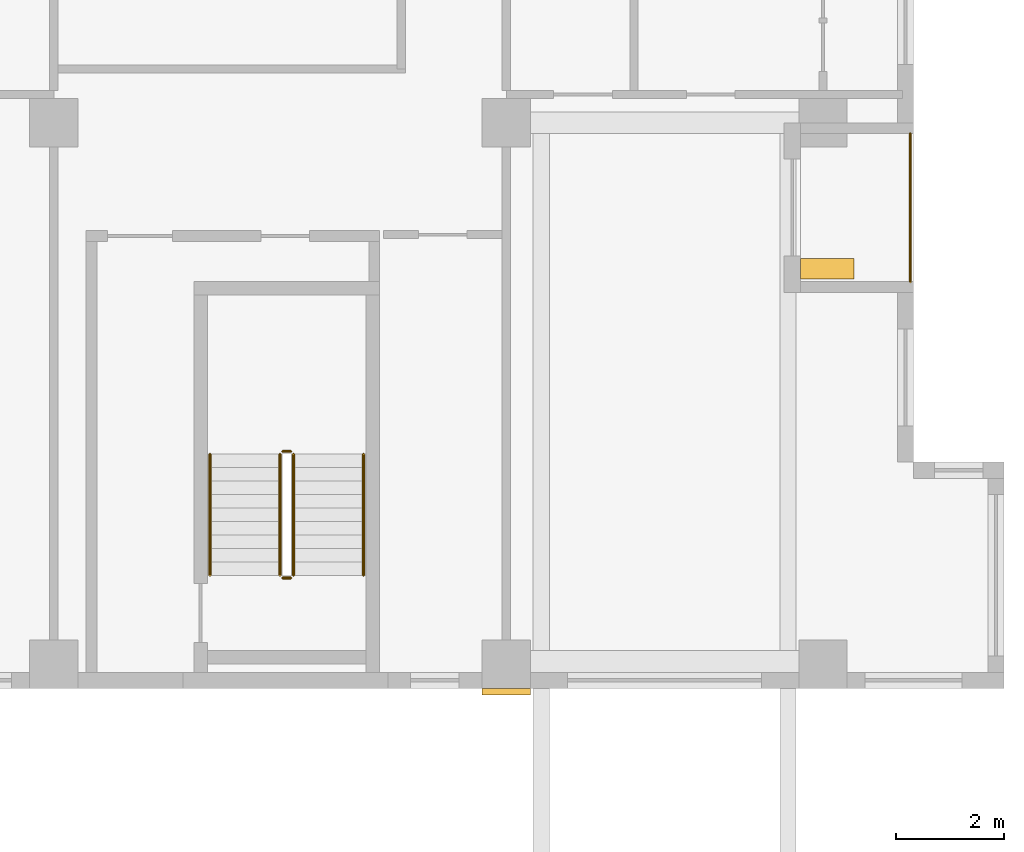
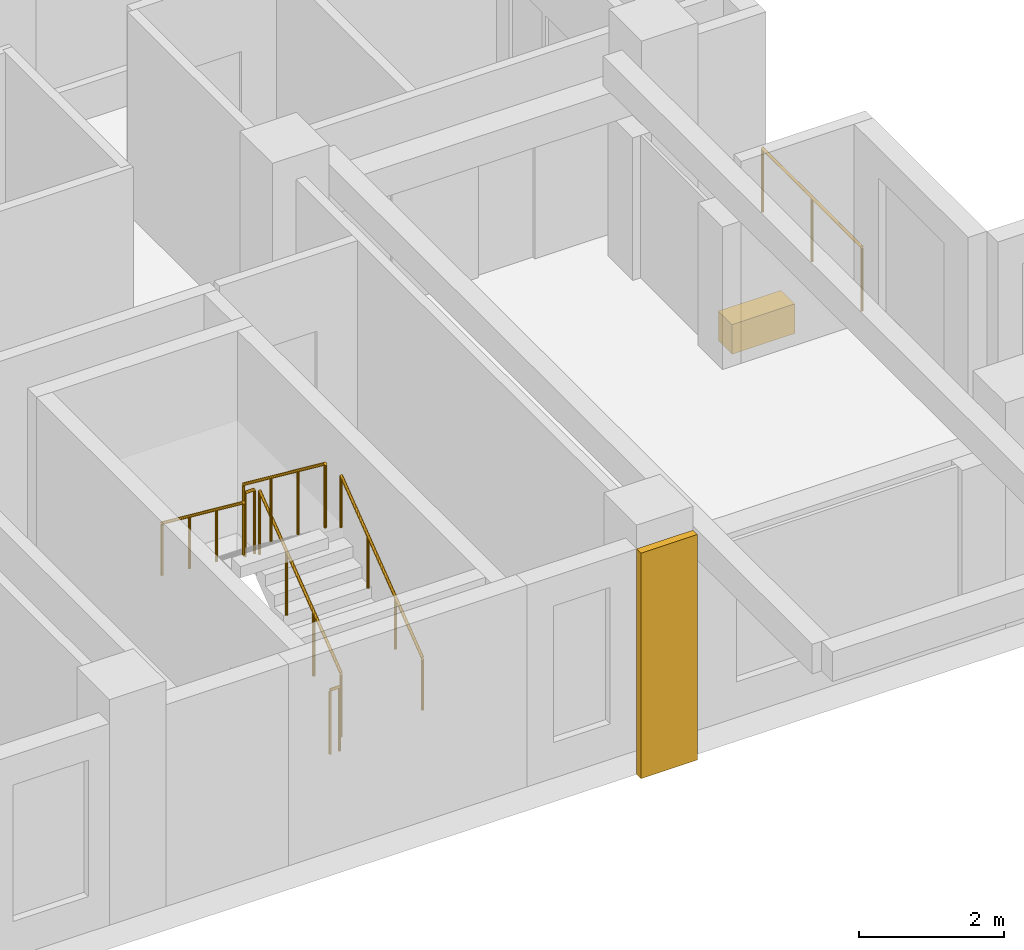
# One storey, part 11 of 12: 7 railings, 2 coverings.
"""IFC4 building model written with IfcOpenShell, lengths in metres."""

import ifcopenshell
import ifcopenshell.guid

model = None  # the IFC model being written
_history = None  # IfcOwnerHistory: only IFC2X3 demands one
_inside = {}  # id of a spatial element -> (the spatial element, [elements in it])
_under = {}  # id of a project, library or spatial element -> (it, [spatial elements below it])
_declared = {}  # id of a project -> (the project, [libraries it declares])
_typed = {}  # id of a type object -> (the type object, [elements of that type])
_made_of = {}  # id of a material, layer set ... -> (it, [elements and type objects made of it])


def new_model(schema):
    """Start an empty IFC model of exactly this schema.

    Asked for "IFC4X3", IfcOpenShell would pick the latest addendum, in which some entities
    have other attributes; the version numbers below select the first issue.
    IFC2X3 requires an IfcOwnerHistory on every rooted entity: one is made here for all.
    """
    global model, _history
    if schema == "IFC4X3":
        model = ifcopenshell.file(schema_version=(4, 3, 0, 0))
    else:
        model = ifcopenshell.file(schema=schema)
    _inside.clear()
    _under.clear()
    _declared.clear()
    _typed.clear()
    _made_of.clear()
    _history = None
    if model.schema == "IFC2X3":
        org = make("IfcOrganization", Name="unknown")
        user = make(
            "IfcPersonAndOrganization",
            ThePerson=make("IfcPerson", FamilyName="unknown"),
            TheOrganization=org,
        )
        app = make(
            "IfcApplication",
            ApplicationDeveloper=org,
            Version="unknown",
            ApplicationFullName="unknown",
            ApplicationIdentifier="unknown",
        )
        _history = make(
            "IfcOwnerHistory",
            OwningUser=user,
            OwningApplication=app,
            ChangeAction="ADDED",
            CreationDate=0,
        )
    return model


def make(cls, **values):
    """One entity of the class cls with the attributes given. An attribute that is None is left unset."""
    return model.create_entity(
        cls, **{name: value for name, value in values.items() if value is not None}
    )


def rooted(cls, **values):
    """An entity with a GlobalId (a new one), such as an element, a storey or a relation."""
    return make(cls, GlobalId=ifcopenshell.guid.new(), OwnerHistory=_history, **values)


def si_unit(unit_type, name, prefix=None):
    """IfcSIUnit, for example si_unit("LENGTHUNIT", "METRE", prefix="MILLI")."""
    return make("IfcSIUnit", UnitType=unit_type, Prefix=prefix, Name=name)


def assignment(units):
    """IfcUnitAssignment: the units of a project."""
    return None if units is None else make("IfcUnitAssignment", Units=units)


def point(xyz):
    """IfcCartesianPoint."""
    return None if xyz is None else make("IfcCartesianPoint", Coordinates=xyz)


def direction(xyz):
    """IfcDirection."""
    return None if xyz is None else make("IfcDirection", DirectionRatios=xyz)


def frame(location, z_axis=None, x_axis=None):
    """IfcAxis2Placement3D, a coordinate frame: its origin and axes. An axis left out is left unset."""
    return make(
        "IfcAxis2Placement3D",
        Location=point(location),
        Axis=direction(z_axis),
        RefDirection=direction(x_axis),
    )


def frame_2d(location, x_axis=None):
    """IfcAxis2Placement2D, a coordinate frame in the plane: its origin and x axis."""
    return make(
        "IfcAxis2Placement2D", Location=point(location), RefDirection=direction(x_axis)
    )


def origin():
    """The frame at (0, 0, 0) with its axes left unset."""
    return frame((0.0, 0.0, 0.0))


def origin_2d():
    """The frame at (0, 0) in the plane with its x axis left unset."""
    return frame_2d((0.0, 0.0))


def place(relative_to, where):
    """IfcLocalPlacement: puts the frame where relative to a parent placement (None: the world)."""
    return make(
        "IfcLocalPlacement", PlacementRelTo=relative_to, RelativePlacement=where
    )


def context(
    kind, dimensions, precision=None, world=None, true_north=None, identifier=None
):
    """IfcGeometricRepresentationContext, for example the 3D "Model" context."""
    return make(
        "IfcGeometricRepresentationContext",
        ContextIdentifier=identifier,
        ContextType=kind,
        CoordinateSpaceDimension=dimensions,
        Precision=precision,
        WorldCoordinateSystem=world,
        TrueNorth=true_north,
    )


def subcontext(parent, identifier, kind, view, scale=None):
    """IfcGeometricRepresentationSubContext, for example "Body" below "Model"."""
    return make(
        "IfcGeometricRepresentationSubContext",
        ContextIdentifier=identifier,
        ContextType=kind,
        ParentContext=parent,
        TargetScale=scale,
        TargetView=view,
    )


def project(units=None, contexts=None):
    """IfcProject with its units and contexts."""
    return rooted(
        "IfcProject",
        Name="project",
        RepresentationContexts=contexts,
        UnitsInContext=assignment(units),
    )


def spatial(cls, under=None, at=None, **own):
    """A site, building, storey or space (cls), placed at a placement, below another one or the project."""
    s = rooted(cls, ObjectPlacement=at, **own)
    if under is not None:
        _under.setdefault(under.id(), (under, []))[1].append(s)
    return s


def profile(cls, at=None, kind="AREA", **sizes):
    """A parametric profile (cls). Its sizes go by their IFC names, for example OverallWidth=200.0."""
    return make(cls, ProfileType=kind, Position=at, **sizes)


def rectangle(**sizes):
    """IfcRectangleProfileDef."""
    return profile("IfcRectangleProfileDef", **sizes)


def circle(**sizes):
    """IfcCircleProfileDef."""
    return profile("IfcCircleProfileDef", **sizes)


def extrude(swept, where, along, depth):
    """IfcExtrudedAreaSolid: the profile swept, set in the frame where, extruded along a direction by depth."""
    return make(
        "IfcExtrudedAreaSolid",
        SweptArea=swept,
        Position=where,
        ExtrudedDirection=direction(along),
        Depth=depth,
    )


def shape(context_of_items, identifier, shape_type, items):
    """IfcShapeRepresentation: the items that make up one representation, for example the "Body"."""
    return make(
        "IfcShapeRepresentation",
        ContextOfItems=context_of_items,
        RepresentationIdentifier=identifier,
        RepresentationType=shape_type,
        Items=items,
    )


def source(mapping_origin, context_of_items, identifier, shape_type, items):
    """IfcRepresentationMap: a shape defined once, which mapped items show again and again."""
    return make(
        "IfcRepresentationMap",
        MappingOrigin=mapping_origin,
        MappedRepresentation=shape(context_of_items, identifier, shape_type, items),
    )


def transform(
    local_origin,
    x_axis=None,
    y_axis=None,
    z_axis=None,
    scale=None,
    scale2=None,
    scale3=None,
    uniform=True,
):
    """IfcCartesianTransformationOperator3D, or its non-uniform kind. x_axis, y_axis, z_axis: its Axis1, 2, 3."""
    if uniform:
        return make(
            "IfcCartesianTransformationOperator3D",
            Axis1=direction(x_axis),
            Axis2=direction(y_axis),
            LocalOrigin=point(local_origin),
            Scale=scale,
            Axis3=direction(z_axis),
        )
    return make(
        "IfcCartesianTransformationOperator3DnonUniform",
        Axis1=direction(x_axis),
        Axis2=direction(y_axis),
        LocalOrigin=point(local_origin),
        Scale=scale,
        Axis3=direction(z_axis),
        Scale2=scale2,
        Scale3=scale3,
    )


def mapped(mapping_source, mapping_target):
    """IfcMappedItem: shows the shape of a source again, moved by a transform."""
    return make(
        "IfcMappedItem", MappingSource=mapping_source, MappingTarget=mapping_target
    )


def material(Name=None, Category=None):
    """IfcMaterial."""
    return make("IfcMaterial", Name=Name, Category=Category)


def made_of(thing, what):
    """Note that an element or type object is made of a material, layer set ...; save() writes the relation."""
    if what is not None:
        _made_of.setdefault(what.id(), (what, []))[1].append(thing)
    return thing


def type_object(cls, material=None, **own):
    """A type object (cls), such as IfcWallType, which elements share."""
    return made_of(rooted(cls, **own), material)


def element(
    cls,
    number,
    at=None,
    inside=None,
    cuts=None,
    type_object=None,
    material=None,
    context=None,
    identifier="Body",
    shape_type=None,
    held_by="IfcProductDefinitionShape",
    body=None,
    shapes=None,
    **own,
):
    """One element of the class cls, such as IfcWall. Its Tag is "e" and its number.

    at: its placement. inside: the storey or other place that contains it. cuts: it is an
    opening in that element (IfcRelVoidsElement). A single representation is given by context,
    identifier, shape_type and body (its items); several are given by shapes. held_by: the class
    of the entity that holds the representations. save() writes the other relations.
    """
    e = rooted(cls, Tag="e%d" % number, ObjectPlacement=at, **own)
    if body is not None:
        shapes = [shape(context, identifier, shape_type, body)]
    if shapes is not None:
        e.Representation = make(held_by, Representations=shapes)
    if inside is not None:
        _inside.setdefault(inside.id(), (inside, []))[1].append(e)
    if cuts is not None:
        rooted(
            "IfcRelVoidsElement", RelatingBuildingElement=cuts, RelatedOpeningElement=e
        )
    if type_object is not None:
        _typed.setdefault(type_object.id(), (type_object, []))[1].append(e)
    return made_of(e, material)


def aggregate(whole, parts):
    """IfcRelAggregates: a whole, such as a stair, and the parts it consists of."""
    return rooted("IfcRelAggregates", RelatingObject=whole, RelatedObjects=parts)


def save(model, path):
    """Write the relations noted so far, then the file.

    IfcRelAggregates (storeys below a building ...), IfcRelContainedInSpatialStructure (elements
    in a storey), IfcRelDefinesByType, IfcRelAssociatesMaterial and IfcRelDeclares: one each for
    every whole, place, type object, material and project.
    """
    for whole, parts in _under.values():
        aggregate(whole, parts)
    for where, things in _inside.values():
        rooted(
            "IfcRelContainedInSpatialStructure",
            RelatedElements=things,
            RelatingStructure=where,
        )
    for kind, things in _typed.values():
        rooted("IfcRelDefinesByType", RelatedObjects=things, RelatingType=kind)
    for what, things in _made_of.values():
        rooted("IfcRelAssociatesMaterial", RelatedObjects=things, RelatingMaterial=what)
    for by, libraries in _declared.values():
        rooted("IfcRelDeclares", RelatingContext=by, RelatedDefinitions=libraries)
    model.write(path)


model = new_model("IFC4")

# Units and contexts
model_context = context("Model", 3, precision=1e-05, world=origin(), true_north=direction((0.0, 1.0)))
body_context = subcontext(model_context, "Body", "Model", "MODEL_VIEW")
ifc_project = project(units=[si_unit("LENGTHUNIT", "METRE"), si_unit("AREAUNIT", "SQUARE_METRE"), si_unit("VOLUMEUNIT", "CUBIC_METRE"), si_unit("PLANEANGLEUNIT", "RADIAN"), si_unit("MASSUNIT", "GRAM", prefix="KILO")], contexts=[model_context])

# Site, building, storey
site_placement = place(None, origin())
site = spatial("IfcSite", under=ifc_project, at=site_placement, CompositionType="ELEMENT")
building_placement = place(site_placement, origin())
building = spatial("IfcBuilding", under=site, at=building_placement, Name="Aurelian Terraces", CompositionType="ELEMENT")
storey_placement = place(building_placement, frame((0.0, 0.0, 219.6)))
storey = spatial("IfcBuildingStorey", under=building, at=storey_placement, Name="L49", CompositionType="ELEMENT", Elevation=219.6)

# Covering
ifc_material_1 = material(Name="Terracotta rainscreen cladding relief", Category="masonry")
covering_type_1 = type_object("IfcCoveringType", Name="BAGUETTE-TC", PredefinedType="CLADDING", material=ifc_material_1)
shared_shape_1 = source(origin(), body_context, "Body", "SweptSolid", [
    extrude(rectangle(XDim=0.9, YDim=0.12, at=origin_2d()), origin(), (0.0, 0.0, 1.0), 3.8),
])
covering_1_placement = place(storey_placement, frame((46.2, -0.06, -0.4), z_axis=(0.0, 0.0, 1.0), x_axis=(1.0, 0.0, 0.0)))
element("IfcCovering", 1, at=covering_1_placement, inside=storey, type_object=covering_type_1, Name="BAGUETTE pier L49 3", PredefinedType="CLADDING", context=body_context, shape_type="MappedRepresentation", body=[
    mapped(shared_shape_1, transform((0.0, 0.0, 0.0), scale=1.0)),
])

# Railing
ifc_material_2 = material(Name="Anodised aluminium", Category="aluminium")
railing_type_1 = type_object("IfcRailingType", Name="GUARD-1100", PredefinedType="GUARDRAIL", material=ifc_material_2)
shared_shape_2 = source(origin(), body_context, "Body", "SweptSolid", [
    extrude(circle(Radius=0.024, at=origin_2d()), frame((0.0, 0.0, 1.076), z_axis=(0.0, 1.0, 0.0), x_axis=(-1.0, 0.0, 0.0)), (0.0, 0.0, 1.0), 2.75),
    extrude(circle(Radius=0.021, at=origin_2d()), origin(), (0.0, 0.0, 1.0), 1.052),
    extrude(circle(Radius=0.021, at=origin_2d()), frame((0.0, 1.375, 0.0)), (0.0, 0.0, 1.0), 1.052),
    extrude(circle(Radius=0.021, at=origin_2d()), frame((0.0, 2.75, 0.0)), (0.0, 0.0, 1.0), 1.052),
])
railing_1_placement = place(storey_placement, frame((53.7, 7.55, 0.05)))
element("IfcRailing", 2, at=railing_1_placement, inside=storey, type_object=railing_type_1, Name="Loggia guard L49 F04.11", PredefinedType="GUARDRAIL", context=body_context, shape_type="MappedRepresentation", body=[
    mapped(shared_shape_2, transform((0.0, 0.0, 0.0), scale=1.0)),
])

# Covering
ifc_material_3 = material(Name="Terracotta planter with planting soil", Category="masonry")
covering_type_2 = type_object("IfcCoveringType", Name="PLANTER-TROUGH", PredefinedType="USERDEFINED", material=ifc_material_3)
shared_shape_3 = source(origin(), body_context, "Body", "SweptSolid", [
    extrude(rectangle(XDim=1.0, YDim=0.38, at=origin_2d()), origin(), (0.0, 0.0, 1.0), 0.5),
])
covering_2_placement = place(storey_placement, frame((52.16, 7.79, 0.0), z_axis=(0.0, 0.0, 1.0), x_axis=(1.0, 0.0, 0.0)))
element("IfcCovering", 3, at=covering_2_placement, inside=storey, type_object=covering_type_2, Name="PLANTER L49 L49-F04-11", ObjectType="PLANTER", PredefinedType="USERDEFINED", context=body_context, shape_type="MappedRepresentation", body=[
    mapped(shared_shape_3, transform((0.0, 0.0, 0.0), scale=1.0)),
])

# Railings
ifc_material_4 = material(Name="Stainless steel", Category="steel")
railing_type_2 = type_object("IfcRailingType", Name="Stair guard 1100", PredefinedType="GUARDRAIL", material=ifc_material_4)
shared_shape_4 = source(origin(), body_context, "Body", "SweptSolid", [
    extrude(circle(Radius=0.024, at=origin_2d()), frame((0.0, 0.0, 1.076), z_axis=(-1.0, 0.0, 0.0), x_axis=(0.0, -1.0, 0.0)), (0.0, 0.0, 1.0), 0.15),
    extrude(circle(Radius=0.021, at=origin_2d()), origin(), (0.0, 0.0, 1.0), 1.052),
    extrude(circle(Radius=0.021, at=origin_2d()), frame((-0.15, 0.0, 0.0)), (0.0, 0.0, 1.0), 1.052),
])
for number, where, name in (
    (4, (42.2, 4.4, 1.9), "L49 S2 stair guard 2"),
    (5, (42.2, 2.05, 0.0), "L49 S2 stair guard 4"),
):
    element("IfcRailing", number, at=place(storey_placement, frame(where)), inside=storey, type_object=railing_type_2, Name=name, PredefinedType="GUARDRAIL", context=body_context, shape_type="MappedRepresentation", body=[
        mapped(shared_shape_4, transform((0.0, 0.0, 0.0), scale=1.0)),
    ])
shared_shape_5 = source(origin(), body_context, "Body", "SweptSolid", [
    extrude(circle(Radius=0.024, at=origin_2d()), frame((0.0, 0.0, 1.076), z_axis=(0.0, 0.796162194123, 0.605083267534), x_axis=(-1.0, 0.0, 0.0)), (0.0, 0.0, 1.0), 2.8261),
    extrude(circle(Radius=0.021, at=origin_2d()), origin(), (0.0, 0.0, 1.0), 1.052),
    extrude(circle(Radius=0.021, at=origin_2d()), frame((0.0, 0.75, 0.57)), (0.0, 0.0, 1.0), 1.052),
    extrude(circle(Radius=0.021, at=origin_2d()), frame((0.0, 1.5, 1.14)), (0.0, 0.0, 1.0), 1.052),
    extrude(circle(Radius=0.021, at=origin_2d()), frame((0.0, 2.25, 1.71)), (0.0, 0.0, 1.0), 1.052),
])
railing_2_placement = place(storey_placement, frame((42.25, 2.1, 0.19)))
element("IfcRailing", 6, at=railing_2_placement, inside=storey, type_object=railing_type_2, Name="L49 S2 stair guard 1", PredefinedType="GUARDRAIL", context=body_context, shape_type="MappedRepresentation", body=[
    mapped(shared_shape_5, transform((0.0, 0.0, 0.0), scale=1.0)),
])
shared_shape_6 = source(origin(), body_context, "Body", "SweptSolid", [
    extrude(circle(Radius=0.024, at=origin_2d()), frame((0.0, 0.0, 1.076), z_axis=(0.0, -0.796162194123, 0.605083267534), x_axis=(1.0, 0.0, 0.0)), (0.0, 0.0, 1.0), 2.8261),
    extrude(circle(Radius=0.021, at=origin_2d()), origin(), (0.0, 0.0, 1.0), 1.052),
    extrude(circle(Radius=0.021, at=origin_2d()), frame((0.0, -0.75, 0.57)), (0.0, 0.0, 1.0), 1.052),
    extrude(circle(Radius=0.021, at=origin_2d()), frame((0.0, -1.5, 1.14)), (0.0, 0.0, 1.0), 1.052),
    extrude(circle(Radius=0.021, at=origin_2d()), frame((0.0, -2.25, 1.71)), (0.0, 0.0, 1.0), 1.052),
])
railing_3_placement = place(storey_placement, frame((42.0, 4.35, 2.09)))
element("IfcRailing", 7, at=railing_3_placement, inside=storey, type_object=railing_type_2, Name="L49 S2 stair guard 3", PredefinedType="GUARDRAIL", context=body_context, shape_type="MappedRepresentation", body=[
    mapped(shared_shape_6, transform((0.0, 0.0, 0.0), scale=1.0)),
])
railing_type_3 = type_object("IfcRailingType", Name="Stair handrail", PredefinedType="HANDRAIL", material=ifc_material_4)
shared_shape_7 = source(origin(), body_context, "Body", "SweptSolid", [
    extrude(circle(Radius=0.024, at=origin_2d()), frame((0.0, 0.0, 0.876), z_axis=(0.0, 0.796162194123, 0.605083267534), x_axis=(-1.0, 0.0, 0.0)), (0.0, 0.0, 1.0), 2.8261),
    extrude(circle(Radius=0.021, at=origin_2d()), origin(), (0.0, 0.0, 1.0), 0.852),
    extrude(circle(Radius=0.021, at=origin_2d()), frame((0.0, 0.75, 0.57)), (0.0, 0.0, 1.0), 0.852),
    extrude(circle(Radius=0.021, at=origin_2d()), frame((0.0, 1.5, 1.14)), (0.0, 0.0, 1.0), 0.852),
    extrude(circle(Radius=0.021, at=origin_2d()), frame((0.0, 2.25, 1.71)), (0.0, 0.0, 1.0), 0.852),
])
railing_4_placement = place(storey_placement, frame((43.55, 2.1, 0.19)))
element("IfcRailing", 8, at=railing_4_placement, inside=storey, type_object=railing_type_3, Name="L49 S2 stair handrail 1", PredefinedType="HANDRAIL", context=body_context, shape_type="MappedRepresentation", body=[
    mapped(shared_shape_7, transform((0.0, 0.0, 0.0), scale=1.0)),
])
shared_shape_8 = source(origin(), body_context, "Body", "SweptSolid", [
    extrude(circle(Radius=0.024, at=origin_2d()), frame((0.0, 0.0, 0.876), z_axis=(0.0, -0.796162194123, 0.605083267534), x_axis=(1.0, 0.0, 0.0)), (0.0, 0.0, 1.0), 2.8261),
    extrude(circle(Radius=0.021, at=origin_2d()), origin(), (0.0, 0.0, 1.0), 0.852),
    extrude(circle(Radius=0.021, at=origin_2d()), frame((0.0, -0.75, 0.57)), (0.0, 0.0, 1.0), 0.852),
    extrude(circle(Radius=0.021, at=origin_2d()), frame((0.0, -1.5, 1.14)), (0.0, 0.0, 1.0), 0.852),
    extrude(circle(Radius=0.021, at=origin_2d()), frame((0.0, -2.25, 1.71)), (0.0, 0.0, 1.0), 0.852),
])
railing_5_placement = place(storey_placement, frame((40.7, 4.35, 2.09)))
element("IfcRailing", 9, at=railing_5_placement, inside=storey, type_object=railing_type_3, Name="L49 S2 stair handrail 2", PredefinedType="HANDRAIL", context=body_context, shape_type="MappedRepresentation", body=[
    mapped(shared_shape_8, transform((0.0, 0.0, 0.0), scale=1.0)),
])

save(model, "model.ifc")
